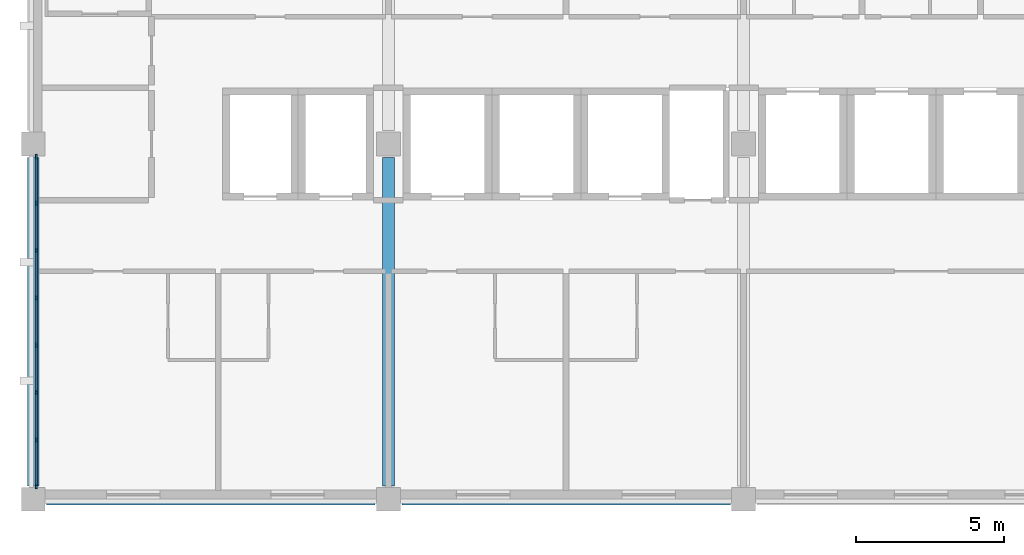
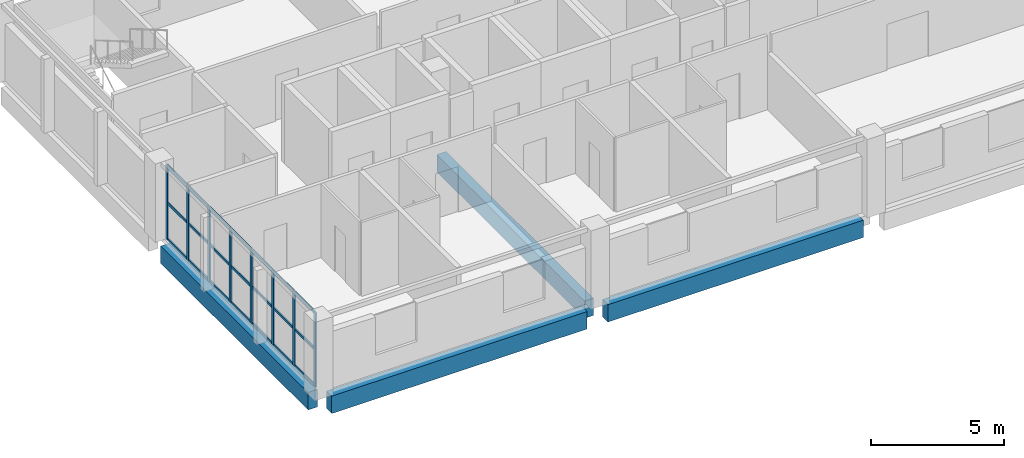
# One storey, part 2 of 11: 29 members, 4 beams, 1 element without a shape of its own.
"""IFC4 building model written with IfcOpenShell, lengths in metres."""

from ifc_helpers import new_model, si_unit, direction, frame, origin, origin_2d, place, context, subcontext, project, spatial, rectangle, extrude, material, layer, layer_set, material_profile, profile_set, type_object, element, aggregate, save


model = new_model("IFC4")

# Units and contexts
model_context = context("Model", 3, precision=1e-05, world=origin(), true_north=direction((0.0, 1.0)))
body_context = subcontext(model_context, "Body", "Model", "MODEL_VIEW")
ifc_project = project(units=[si_unit("LENGTHUNIT", "METRE"), si_unit("AREAUNIT", "SQUARE_METRE"), si_unit("VOLUMEUNIT", "CUBIC_METRE"), si_unit("PLANEANGLEUNIT", "RADIAN"), si_unit("MASSUNIT", "GRAM", prefix="KILO")], contexts=[model_context])

# Site, building, storey
site_placement = place(None, origin())
site = spatial("IfcSite", under=ifc_project, at=site_placement, CompositionType="ELEMENT")
building_placement = place(site_placement, origin())
building = spatial("IfcBuilding", under=site, at=building_placement, Name="Lilac Gate Convention Centre", CompositionType="ELEMENT")
storey_placement = place(building_placement, frame((0.0, 0.0, 35.39990234375)))
storey = spatial("IfcBuildingStorey", under=building, at=storey_placement, Name="L08", CompositionType="ELEMENT", Elevation=35.39990234375)

# Curtain wall, members
ifc_material_1 = material(Name="Aluminium framed double glazing", Category="aluminium")
ifc_layer = layer(ifc_material_1, 0.199951171875)
ifc_layer_set = layer_set([ifc_layer], Name="Aluminium framed double glazing")
curtain_wall_type = type_object("IfcCurtainWallType", Name="Unitised curtain wall 1500", PredefinedType="NOTDEFINED", material=ifc_layer_set)
curtain_wall_placement = place(storey_placement, origin())
curtain_wall = element("IfcCurtainWall", 1, at=curtain_wall_placement, inside=storey, type_object=curtain_wall_type, Name="Curtain wall W L08 2", PredefinedType="NOTDEFINED")
ifc_material_2 = material(Name="Aluminium alloy 6063", Category="aluminium")
ifc_material_profile_1 = material_profile(ifc_material_2, rectangle(XDim=0.06005859375, YDim=0.159912109375, at=origin_2d()), Name="Curtain wall mullion 60 x 160")
ifc_profile_set_1 = profile_set([ifc_material_profile_1], Name="Aluminium alloy 6063")
member_type_1 = type_object("IfcMemberType", Name="Curtain wall mullion 60 x 160", PredefinedType="MULLION", material=ifc_profile_set_1)
member_1_placement = place(storey_placement, frame((42.10009765625, 233.570068359375, 0.0), z_axis=(0.0, 0.0, 1.0), x_axis=(1.0, 0.0, 0.0)))
member_1 = element("IfcMember", 2, at=member_1_placement, type_object=member_type_1, Name="CW mullion 1", PredefinedType="MULLION", context=body_context, shape_type="SweptSolid", body=[
    extrude(rectangle(XDim=0.06005859375, YDim=0.159912109375, at=origin_2d()), origin(), (0.0, 0.0, 1.0), 3.400146484375),
])
member_2_placement = place(storey_placement, frame((42.10009765625, 232.0, 0.0), z_axis=(0.0, 0.0, 1.0), x_axis=(1.0, 0.0, 0.0)))
member_2 = element("IfcMember", 3, at=member_2_placement, type_object=member_type_1, Name="CW mullion 2", PredefinedType="MULLION", context=body_context, shape_type="SweptSolid", body=[
    extrude(rectangle(XDim=0.06005859375, YDim=0.159912109375, at=origin_2d()), origin(), (0.0, 0.0, 1.0), 3.400146484375),
])
member_3_placement = place(storey_placement, frame((42.10009765625, 230.400146484375, 0.0), z_axis=(0.0, 0.0, 1.0), x_axis=(1.0, 0.0, 0.0)))
member_3 = element("IfcMember", 4, at=member_3_placement, type_object=member_type_1, Name="CW mullion 3", PredefinedType="MULLION", context=body_context, shape_type="SweptSolid", body=[
    extrude(rectangle(XDim=0.06005859375, YDim=0.159912109375, at=origin_2d()), origin(), (0.0, 0.0, 1.0), 3.400146484375),
])
member_4_placement = place(storey_placement, frame((42.10009765625, 228.800048828125, 0.0), z_axis=(0.0, 0.0, 1.0), x_axis=(1.0, 0.0, 0.0)))
member_4 = element("IfcMember", 5, at=member_4_placement, type_object=member_type_1, Name="CW mullion 4", PredefinedType="MULLION", context=body_context, shape_type="SweptSolid", body=[
    extrude(rectangle(XDim=0.06005859375, YDim=0.159912109375, at=origin_2d()), origin(), (0.0, 0.0, 1.0), 3.400146484375),
])
member_5_placement = place(storey_placement, frame((42.10009765625, 227.199951171875, 0.0), z_axis=(0.0, 0.0, 1.0), x_axis=(1.0, 0.0, 0.0)))
member_5 = element("IfcMember", 6, at=member_5_placement, type_object=member_type_1, Name="CW mullion 5", PredefinedType="MULLION", context=body_context, shape_type="SweptSolid", body=[
    extrude(rectangle(XDim=0.06005859375, YDim=0.159912109375, at=origin_2d()), origin(), (0.0, 0.0, 1.0), 3.400146484375),
])
member_6_placement = place(storey_placement, frame((42.10009765625, 225.599853515625, 0.0), z_axis=(0.0, 0.0, 1.0), x_axis=(1.0, 0.0, 0.0)))
member_6 = element("IfcMember", 7, at=member_6_placement, type_object=member_type_1, Name="CW mullion 6", PredefinedType="MULLION", context=body_context, shape_type="SweptSolid", body=[
    extrude(rectangle(XDim=0.06005859375, YDim=0.159912109375, at=origin_2d()), origin(), (0.0, 0.0, 1.0), 3.400146484375),
])
member_7_placement = place(storey_placement, frame((42.10009765625, 224.0, 0.0), z_axis=(0.0, 0.0, 1.0), x_axis=(1.0, 0.0, 0.0)))
member_7 = element("IfcMember", 8, at=member_7_placement, type_object=member_type_1, Name="CW mullion 7", PredefinedType="MULLION", context=body_context, shape_type="SweptSolid", body=[
    extrude(rectangle(XDim=0.06005859375, YDim=0.159912109375, at=origin_2d()), origin(), (0.0, 0.0, 1.0), 3.400146484375),
])
member_8_placement = place(storey_placement, frame((42.10009765625, 222.429931640625, 0.0), z_axis=(0.0, 0.0, 1.0), x_axis=(1.0, 0.0, 0.0)))
member_8 = element("IfcMember", 9, at=member_8_placement, type_object=member_type_1, Name="CW mullion 8", PredefinedType="MULLION", context=body_context, shape_type="SweptSolid", body=[
    extrude(rectangle(XDim=0.06005859375, YDim=0.159912109375, at=origin_2d()), origin(), (0.0, 0.0, 1.0), 3.400146484375),
])
ifc_material_profile_2 = material_profile(ifc_material_2, rectangle(XDim=0.06005859375, YDim=0.1201171875, at=origin_2d()), Name="Curtain wall transom 60 x 120")
ifc_profile_set_2 = profile_set([ifc_material_profile_2], Name="Aluminium alloy 6063")
member_type_2 = type_object("IfcMemberType", Name="Curtain wall transom 60 x 120", PredefinedType="USERDEFINED", material=ifc_profile_set_2)
member_9_placement = place(storey_placement, frame((42.10009765625, 233.5400390625, 0.030029296875), z_axis=(0.0, -1.0, 0.0), x_axis=(1.0, 0.0, 0.0)))
member_9 = element("IfcMember", 10, at=member_9_placement, type_object=member_type_2, Name="CW transom 1.1", ObjectType="TRANSOM", PredefinedType="USERDEFINED", context=body_context, shape_type="SweptSolid", body=[
    extrude(rectangle(XDim=0.06005859375, YDim=0.1201171875, at=origin_2d()), origin(), (0.0, 0.0, 1.0), 1.510009765625),
])
member_10_placement = place(storey_placement, frame((42.10009765625, 233.5400390625, 1.7001953125), z_axis=(0.0, -1.0, 0.0), x_axis=(1.0, 0.0, 0.0)))
member_10 = element("IfcMember", 11, at=member_10_placement, type_object=member_type_2, Name="CW transom 1.2", ObjectType="TRANSOM", PredefinedType="USERDEFINED", context=body_context, shape_type="SweptSolid", body=[
    extrude(rectangle(XDim=0.06005859375, YDim=0.1201171875, at=origin_2d()), origin(), (0.0, 0.0, 1.0), 1.510009765625),
])
member_11_placement = place(storey_placement, frame((42.10009765625, 233.5400390625, 3.3701171875), z_axis=(0.0, -1.0, 0.0), x_axis=(1.0, 0.0, 0.0)))
member_11 = element("IfcMember", 12, at=member_11_placement, type_object=member_type_2, Name="CW transom 1.3", ObjectType="TRANSOM", PredefinedType="USERDEFINED", context=body_context, shape_type="SweptSolid", body=[
    extrude(rectangle(XDim=0.06005859375, YDim=0.1201171875, at=origin_2d()), origin(), (0.0, 0.0, 1.0), 1.510009765625),
])
member_12_placement = place(storey_placement, frame((42.10009765625, 231.969970703125, 0.030029296875), z_axis=(0.0, -1.0, 0.0), x_axis=(1.0, 0.0, 0.0)))
member_12 = element("IfcMember", 13, at=member_12_placement, type_object=member_type_2, Name="CW transom 2.1", ObjectType="TRANSOM", PredefinedType="USERDEFINED", context=body_context, shape_type="SweptSolid", body=[
    extrude(rectangle(XDim=0.06005859375, YDim=0.1201171875, at=origin_2d()), origin(), (0.0, 0.0, 1.0), 1.5400390625),
])
member_13_placement = place(storey_placement, frame((42.10009765625, 231.969970703125, 1.7001953125), z_axis=(0.0, -1.0, 0.0), x_axis=(1.0, 0.0, 0.0)))
member_13 = element("IfcMember", 14, at=member_13_placement, type_object=member_type_2, Name="CW transom 2.2", ObjectType="TRANSOM", PredefinedType="USERDEFINED", context=body_context, shape_type="SweptSolid", body=[
    extrude(rectangle(XDim=0.06005859375, YDim=0.1201171875, at=origin_2d()), origin(), (0.0, 0.0, 1.0), 1.5400390625),
])
member_14_placement = place(storey_placement, frame((42.10009765625, 231.969970703125, 3.3701171875), z_axis=(0.0, -1.0, 0.0), x_axis=(1.0, 0.0, 0.0)))
member_14 = element("IfcMember", 15, at=member_14_placement, type_object=member_type_2, Name="CW transom 2.3", ObjectType="TRANSOM", PredefinedType="USERDEFINED", context=body_context, shape_type="SweptSolid", body=[
    extrude(rectangle(XDim=0.06005859375, YDim=0.1201171875, at=origin_2d()), origin(), (0.0, 0.0, 1.0), 1.5400390625),
])
member_15_placement = place(storey_placement, frame((42.10009765625, 230.3701171875, 0.030029296875), z_axis=(0.0, -1.0, 0.0), x_axis=(1.0, 0.0, 0.0)))
member_15 = element("IfcMember", 16, at=member_15_placement, type_object=member_type_2, Name="CW transom 3.1", ObjectType="TRANSOM", PredefinedType="USERDEFINED", context=body_context, shape_type="SweptSolid", body=[
    extrude(rectangle(XDim=0.06005859375, YDim=0.1201171875, at=origin_2d()), origin(), (0.0, 0.0, 1.0), 1.5400390625),
])
member_16_placement = place(storey_placement, frame((42.10009765625, 230.3701171875, 1.7001953125), z_axis=(0.0, -1.0, 0.0), x_axis=(1.0, 0.0, 0.0)))
member_16 = element("IfcMember", 17, at=member_16_placement, type_object=member_type_2, Name="CW transom 3.2", ObjectType="TRANSOM", PredefinedType="USERDEFINED", context=body_context, shape_type="SweptSolid", body=[
    extrude(rectangle(XDim=0.06005859375, YDim=0.1201171875, at=origin_2d()), origin(), (0.0, 0.0, 1.0), 1.5400390625),
])
member_17_placement = place(storey_placement, frame((42.10009765625, 230.3701171875, 3.3701171875), z_axis=(0.0, -1.0, 0.0), x_axis=(1.0, 0.0, 0.0)))
member_17 = element("IfcMember", 18, at=member_17_placement, type_object=member_type_2, Name="CW transom 3.3", ObjectType="TRANSOM", PredefinedType="USERDEFINED", context=body_context, shape_type="SweptSolid", body=[
    extrude(rectangle(XDim=0.06005859375, YDim=0.1201171875, at=origin_2d()), origin(), (0.0, 0.0, 1.0), 1.5400390625),
])
member_18_placement = place(storey_placement, frame((42.10009765625, 228.77001953125, 0.030029296875), z_axis=(0.0, -1.0, 0.0), x_axis=(1.0, 0.0, 0.0)))
member_18 = element("IfcMember", 19, at=member_18_placement, type_object=member_type_2, Name="CW transom 4.1", ObjectType="TRANSOM", PredefinedType="USERDEFINED", context=body_context, shape_type="SweptSolid", body=[
    extrude(rectangle(XDim=0.06005859375, YDim=0.1201171875, at=origin_2d()), origin(), (0.0, 0.0, 1.0), 1.5400390625),
])
member_19_placement = place(storey_placement, frame((42.10009765625, 228.77001953125, 1.7001953125), z_axis=(0.0, -1.0, 0.0), x_axis=(1.0, 0.0, 0.0)))
member_19 = element("IfcMember", 20, at=member_19_placement, type_object=member_type_2, Name="CW transom 4.2", ObjectType="TRANSOM", PredefinedType="USERDEFINED", context=body_context, shape_type="SweptSolid", body=[
    extrude(rectangle(XDim=0.06005859375, YDim=0.1201171875, at=origin_2d()), origin(), (0.0, 0.0, 1.0), 1.5400390625),
])
member_20_placement = place(storey_placement, frame((42.10009765625, 228.77001953125, 3.3701171875), z_axis=(0.0, -1.0, 0.0), x_axis=(1.0, 0.0, 0.0)))
member_20 = element("IfcMember", 21, at=member_20_placement, type_object=member_type_2, Name="CW transom 4.3", ObjectType="TRANSOM", PredefinedType="USERDEFINED", context=body_context, shape_type="SweptSolid", body=[
    extrude(rectangle(XDim=0.06005859375, YDim=0.1201171875, at=origin_2d()), origin(), (0.0, 0.0, 1.0), 1.5400390625),
])
member_21_placement = place(storey_placement, frame((42.10009765625, 227.169921875, 0.030029296875), z_axis=(0.0, -1.0, 0.0), x_axis=(1.0, 0.0, 0.0)))
member_21 = element("IfcMember", 22, at=member_21_placement, type_object=member_type_2, Name="CW transom 5.1", ObjectType="TRANSOM", PredefinedType="USERDEFINED", context=body_context, shape_type="SweptSolid", body=[
    extrude(rectangle(XDim=0.06005859375, YDim=0.1201171875, at=origin_2d()), origin(), (0.0, 0.0, 1.0), 1.5400390625),
])
member_22_placement = place(storey_placement, frame((42.10009765625, 227.169921875, 1.7001953125), z_axis=(0.0, -1.0, 0.0), x_axis=(1.0, 0.0, 0.0)))
member_22 = element("IfcMember", 23, at=member_22_placement, type_object=member_type_2, Name="CW transom 5.2", ObjectType="TRANSOM", PredefinedType="USERDEFINED", context=body_context, shape_type="SweptSolid", body=[
    extrude(rectangle(XDim=0.06005859375, YDim=0.1201171875, at=origin_2d()), origin(), (0.0, 0.0, 1.0), 1.5400390625),
])
member_23_placement = place(storey_placement, frame((42.10009765625, 227.169921875, 3.3701171875), z_axis=(0.0, -1.0, 0.0), x_axis=(1.0, 0.0, 0.0)))
member_23 = element("IfcMember", 24, at=member_23_placement, type_object=member_type_2, Name="CW transom 5.3", ObjectType="TRANSOM", PredefinedType="USERDEFINED", context=body_context, shape_type="SweptSolid", body=[
    extrude(rectangle(XDim=0.06005859375, YDim=0.1201171875, at=origin_2d()), origin(), (0.0, 0.0, 1.0), 1.5400390625),
])
member_24_placement = place(storey_placement, frame((42.10009765625, 225.570068359375, 0.030029296875), z_axis=(0.0, -1.0, 0.0), x_axis=(1.0, 0.0, 0.0)))
member_24 = element("IfcMember", 25, at=member_24_placement, type_object=member_type_2, Name="CW transom 6.1", ObjectType="TRANSOM", PredefinedType="USERDEFINED", context=body_context, shape_type="SweptSolid", body=[
    extrude(rectangle(XDim=0.06005859375, YDim=0.1201171875, at=origin_2d()), origin(), (0.0, 0.0, 1.0), 1.5400390625),
])
member_25_placement = place(storey_placement, frame((42.10009765625, 225.570068359375, 1.7001953125), z_axis=(0.0, -1.0, 0.0), x_axis=(1.0, 0.0, 0.0)))
member_25 = element("IfcMember", 26, at=member_25_placement, type_object=member_type_2, Name="CW transom 6.2", ObjectType="TRANSOM", PredefinedType="USERDEFINED", context=body_context, shape_type="SweptSolid", body=[
    extrude(rectangle(XDim=0.06005859375, YDim=0.1201171875, at=origin_2d()), origin(), (0.0, 0.0, 1.0), 1.5400390625),
])
member_26_placement = place(storey_placement, frame((42.10009765625, 225.570068359375, 3.3701171875), z_axis=(0.0, -1.0, 0.0), x_axis=(1.0, 0.0, 0.0)))
member_26 = element("IfcMember", 27, at=member_26_placement, type_object=member_type_2, Name="CW transom 6.3", ObjectType="TRANSOM", PredefinedType="USERDEFINED", context=body_context, shape_type="SweptSolid", body=[
    extrude(rectangle(XDim=0.06005859375, YDim=0.1201171875, at=origin_2d()), origin(), (0.0, 0.0, 1.0), 1.5400390625),
])
member_27_placement = place(storey_placement, frame((42.10009765625, 223.969970703125, 0.030029296875), z_axis=(0.0, -1.0, 0.0), x_axis=(1.0, 0.0, 0.0)))
member_27 = element("IfcMember", 28, at=member_27_placement, type_object=member_type_2, Name="CW transom 7.1", ObjectType="TRANSOM", PredefinedType="USERDEFINED", context=body_context, shape_type="SweptSolid", body=[
    extrude(rectangle(XDim=0.06005859375, YDim=0.1201171875, at=origin_2d()), origin(), (0.0, 0.0, 1.0), 1.510009765625),
])
member_28_placement = place(storey_placement, frame((42.10009765625, 223.969970703125, 1.7001953125), z_axis=(0.0, -1.0, 0.0), x_axis=(1.0, 0.0, 0.0)))
member_28 = element("IfcMember", 29, at=member_28_placement, type_object=member_type_2, Name="CW transom 7.2", ObjectType="TRANSOM", PredefinedType="USERDEFINED", context=body_context, shape_type="SweptSolid", body=[
    extrude(rectangle(XDim=0.06005859375, YDim=0.1201171875, at=origin_2d()), origin(), (0.0, 0.0, 1.0), 1.510009765625),
])
member_29_placement = place(storey_placement, frame((42.10009765625, 223.969970703125, 3.3701171875), z_axis=(0.0, -1.0, 0.0), x_axis=(1.0, 0.0, 0.0)))
member_29 = element("IfcMember", 30, at=member_29_placement, type_object=member_type_2, Name="CW transom 7.3", ObjectType="TRANSOM", PredefinedType="USERDEFINED", context=body_context, shape_type="SweptSolid", body=[
    extrude(rectangle(XDim=0.06005859375, YDim=0.1201171875, at=origin_2d()), origin(), (0.0, 0.0, 1.0), 1.510009765625),
])
aggregate(curtain_wall, [member_1, member_2, member_3, member_4, member_5, member_6, member_7, member_8, member_9, member_10, member_11, member_12, member_13, member_14, member_15, member_16, member_17, member_18, member_19, member_20, member_21, member_22, member_23, member_24, member_25, member_26, member_27, member_28, member_29])

# Beams
ifc_material_3 = material(Name="Concrete C40", Category="concrete")
ifc_material_profile_3 = material_profile(ifc_material_3, rectangle(XDim=0.39990234375, YDim=0.800048828125, at=origin_2d()), Name="RC 400x800")
ifc_profile_set_3 = profile_set([ifc_material_profile_3], Name="Concrete C40")
beam_type = type_object("IfcBeamType", Name="Tower primary beam 400x800 C40", PredefinedType="BEAM", material=ifc_profile_set_3)
for number, where, z_axis, x_axis, name in (
    (31, (42.449951171875, 222.0, -0.599853515625), (1.0, 0.0, 0.0), (0.0, 1.0, 0.0), "RB3 L08 4/S-5/S"),
    (32, (54.449951171875, 222.0, -0.599853515625), (1.0, 0.0, 0.0), (0.0, 1.0, 0.0), "RB3 L08 5/S-6/S"),
    (33, (42.0, 222.449951171875, -0.599853515625), (0.0, 1.0, 0.0), (-1.0, 0.0, 0.0), "RB3 L08 4/S-4/T"),
    (34, (54.0, 222.449951171875, -0.599853515625), (0.0, 1.0, 0.0), (-1.0, 0.0, 0.0), "RB3 L08 5/S-5/T"),
):
    element("IfcBeam", number, at=place(storey_placement, frame(where, z_axis=z_axis, x_axis=x_axis)), inside=storey, type_object=beam_type, Name=name, PredefinedType="BEAM", context=body_context, shape_type="SweptSolid", body=[
        extrude(rectangle(XDim=0.39990234375, YDim=0.800048828125, at=origin_2d()), origin(), (0.0, 0.0, 1.0), 11.10009765625),
    ])

save(model, "model.ifc")
